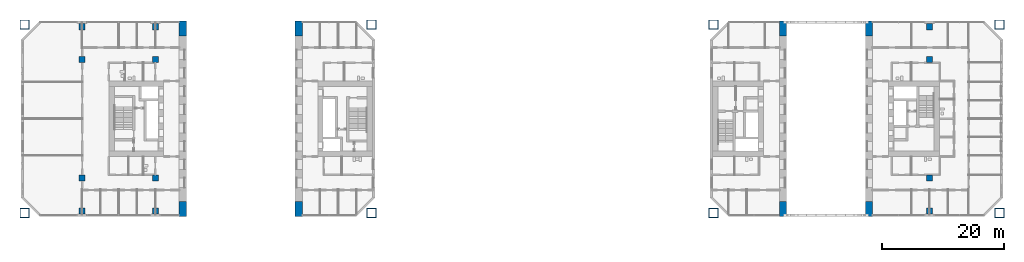
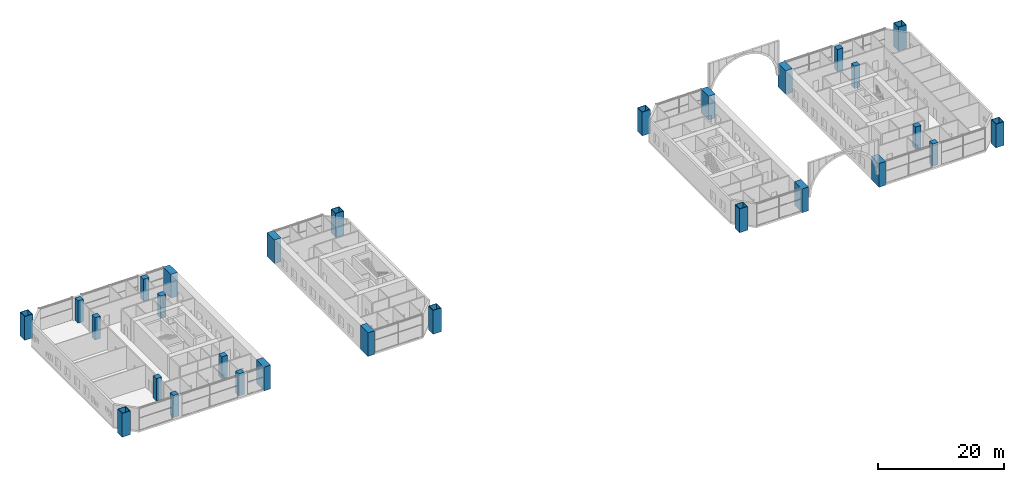
# One storey, part 1 of 21: 28 columns.
"""IFC4 building model written with IfcOpenShell, lengths in metres."""

from ifc_helpers import new_model, si_unit, direction, frame, origin, origin_2d, place, context, subcontext, project, spatial, rectangle, hollow_rectangle, extrude, material, material_profile, profile_set, type_object, element, save


model = new_model("IFC4")

# Units and contexts
model_context = context("Model", 3, precision=1e-05, world=origin(), true_north=direction((0.0, 1.0)))
body_context = subcontext(model_context, "Body", "Model", "MODEL_VIEW")
ifc_project = project(units=[si_unit("LENGTHUNIT", "METRE"), si_unit("AREAUNIT", "SQUARE_METRE"), si_unit("VOLUMEUNIT", "CUBIC_METRE"), si_unit("PLANEANGLEUNIT", "RADIAN"), si_unit("MASSUNIT", "GRAM", prefix="KILO")], contexts=[model_context])

# Site, building, storey
site_placement = place(None, origin())
site = spatial("IfcSite", under=ifc_project, at=site_placement, CompositionType="ELEMENT")
building_placement = place(site_placement, origin())
building = spatial("IfcBuilding", under=site, at=building_placement, Name="Tuart Gate Housing", CompositionType="ELEMENT")
storey_placement = place(building_placement, frame((0.0, 0.0, 5.5)))
storey = spatial("IfcBuildingStorey", under=building, at=storey_placement, Name="L01", CompositionType="ELEMENT", Elevation=5.5)

# Columns
ifc_material_1 = material(Name="Steel Grade 350", Category="steel")
ifc_material_profile_1 = material_profile(ifc_material_1, hollow_rectangle(XDim=1.5, YDim=1.5, WallThickness=0.080078125, at=origin_2d()), Name="BOX 1500x1500x80")
ifc_profile_set_1 = profile_set([ifc_material_profile_1], Name="Steel Grade 350")
column_type_1 = type_object("IfcColumnType", Name="Mega column BOX 1500x1500x80 (4.6-5.8 m)", PredefinedType="COLUMN", material=ifc_profile_set_1)
for number, where, z_axis, x_axis, name in (
    (1, (18.550048828125, 54.550048828125, 0.0), (0.0, 0.0, 1.0), (1.0, 0.0, 0.0), "Mega column A south-west L01"),
    (2, (75.449951171875, 54.550048828125, 0.0), (0.0, 0.0, 1.0), (1.0, 0.0, 0.0), "Mega column A south-east L01"),
    (3, (75.449951171875, 85.449951171875, 0.0), (0.0, 0.0, 1.0), (1.0, 0.0, 0.0), "Mega column A north-east L01"),
    (4, (18.550048828125, 85.449951171875, 0.0), (0.0, 0.0, 1.0), (1.0, 0.0, 0.0), "Mega column A north-west L01"),
    (5, (131.550048828125, 54.550048828125, 0.0), (0.0, 0.0, 1.0), (1.0, 0.0, 0.0), "Mega column B south-west L01"),
    (6, (178.449951171875, 54.550048828125, 0.0), (0.0, 0.0, 1.0), (1.0, 0.0, 0.0), "Mega column B south-east L01"),
    (7, (178.449951171875, 85.449951171875, 0.0), (0.0, 0.0, 1.0), (1.0, 0.0, 0.0), "Mega column B north-east L01"),
    (8, (131.550048828125, 85.449951171875, 0.0), (0.0, 0.0, 1.0), (1.0, 0.0, 0.0), "Mega column B north-west L01"),
):
    element("IfcColumn", number, at=place(storey_placement, frame(where, z_axis=z_axis, x_axis=x_axis)), inside=storey, type_object=column_type_1, Name=name, PredefinedType="COLUMN", context=body_context, shape_type="SweptSolid", body=[
        extrude(hollow_rectangle(XDim=1.5, YDim=1.5, WallThickness=0.080078125, at=origin_2d()), origin(), (0.0, 0.0, 1.0), 4.60009765625),
    ])
ifc_material_2 = material(Name="Concrete C50", Category="concrete")
ifc_material_profile_2 = material_profile(ifc_material_2, rectangle(XDim=1.0, YDim=1.0, at=origin_2d()), Name="RC column 1000 x 1000")
ifc_profile_set_2 = profile_set([ifc_material_profile_2], Name="Concrete C50")
column_type_2 = type_object("IfcColumnType", Name="RC column 1000 x 1000", PredefinedType="COLUMN", material=ifc_profile_set_2)
for number, where, z_axis, x_axis, name in (
    (9, (28.0, 54.89990234375, 0.0), (0.0, 0.0, 1.0), (1.0, 0.0, 0.0), "RC column 2 L01"),
    (10, (28.0, 60.300048828125, 0.0), (0.0, 0.0, 1.0), (1.0, 0.0, 0.0), "RC column 3 L01"),
    (11, (28.0, 79.699951171875, 0.0), (0.0, 0.0, 1.0), (1.0, 0.0, 0.0), "RC column 6 L01"),
    (12, (28.0, 85.10009765625, 0.0), (0.0, 0.0, 1.0), (1.0, 0.0, 0.0), "RC column 7 L01"),
    (13, (40.0, 54.89990234375, 0.0), (0.0, 0.0, 1.0), (1.0, 0.0, 0.0), "RC column 10 L01"),
    (14, (40.0, 60.300048828125, 0.0), (0.0, 0.0, 1.0), (1.0, 0.0, 0.0), "RC column 11 L01"),
    (15, (40.0, 79.699951171875, 0.0), (0.0, 0.0, 1.0), (1.0, 0.0, 0.0), "RC column 14 L01"),
    (16, (40.0, 85.10009765625, 0.0), (0.0, 0.0, 1.0), (1.0, 0.0, 0.0), "RC column 15 L01"),
    (17, (167.0, 54.89990234375, 0.0), (0.0, 0.0, 1.0), (1.0, 0.0, 0.0), "RC column 34 L01"),
    (18, (167.0, 60.300048828125, 0.0), (0.0, 0.0, 1.0), (1.0, 0.0, 0.0), "RC column 35 L01"),
    (19, (167.0, 79.699951171875, 0.0), (0.0, 0.0, 1.0), (1.0, 0.0, 0.0), "RC column 38 L01"),
    (20, (167.0, 85.10009765625, 0.0), (0.0, 0.0, 1.0), (1.0, 0.0, 0.0), "RC column 39 L01"),
):
    element("IfcColumn", number, at=place(storey_placement, frame(where, z_axis=z_axis, x_axis=x_axis)), inside=storey, type_object=column_type_2, Name=name, PredefinedType="COLUMN", context=body_context, shape_type="SweptSolid", body=[
        extrude(rectangle(XDim=1.0, YDim=1.0, at=origin_2d()), origin(), (0.0, 0.0, 1.0), 4.300048828125),
    ])
ifc_material_3 = material(Name="Concrete C50", Category="concrete")
ifc_material_profile_3 = material_profile(ifc_material_3, rectangle(XDim=1.199951171875, YDim=2.39990234375, at=origin_2d()), Name="RC jamb 1200 x 2400")
ifc_profile_set_3 = profile_set([ifc_material_profile_3], Name="Concrete C50")
column_type_3 = type_object("IfcColumnType", Name="RC jamb 1200 x 2400", PredefinedType="COLUMN", material=ifc_profile_set_3)
for number, where, z_axis, x_axis, name in (
    (21, (44.5, 55.199951171875, -0.300048828125), (0.0, 0.0, 1.0), (1.0, 0.0, 0.0), "Pier south jamb column AW L01"),
    (22, (44.5, 84.800048828125, -0.300048828125), (0.0, 0.0, 1.0), (1.0, 0.0, 0.0), "Pier north jamb column AW L01"),
    (23, (63.5, 55.199951171875, -0.300048828125), (0.0, 0.0, 1.0), (1.0, 0.0, 0.0), "Pier south jamb column AE L01"),
    (24, (63.5, 84.800048828125, -0.300048828125), (0.0, 0.0, 1.0), (1.0, 0.0, 0.0), "Pier north jamb column AE L01"),
    (25, (142.949951171875, 55.199951171875, -0.300048828125), (0.0, 0.0, 1.0), (1.0, 0.0, 0.0), "Pier south jamb column BW L01"),
    (26, (142.949951171875, 84.800048828125, -0.300048828125), (0.0, 0.0, 1.0), (1.0, 0.0, 0.0), "Pier north jamb column BW L01"),
    (27, (157.050048828125, 55.199951171875, -0.300048828125), (0.0, 0.0, 1.0), (1.0, 0.0, 0.0), "Pier south jamb column BE L01"),
    (28, (157.050048828125, 84.800048828125, -0.300048828125), (0.0, 0.0, 1.0), (1.0, 0.0, 0.0), "Pier north jamb column BE L01"),
):
    element("IfcColumn", number, at=place(storey_placement, frame(where, z_axis=z_axis, x_axis=x_axis)), inside=storey, type_object=column_type_3, Name=name, PredefinedType="COLUMN", context=body_context, shape_type="SweptSolid", body=[
        extrude(rectangle(XDim=1.199951171875, YDim=2.39990234375, at=origin_2d()), origin(), (0.0, 0.0, 1.0), 4.60009765625),
    ])

save(model, "model.ifc")
